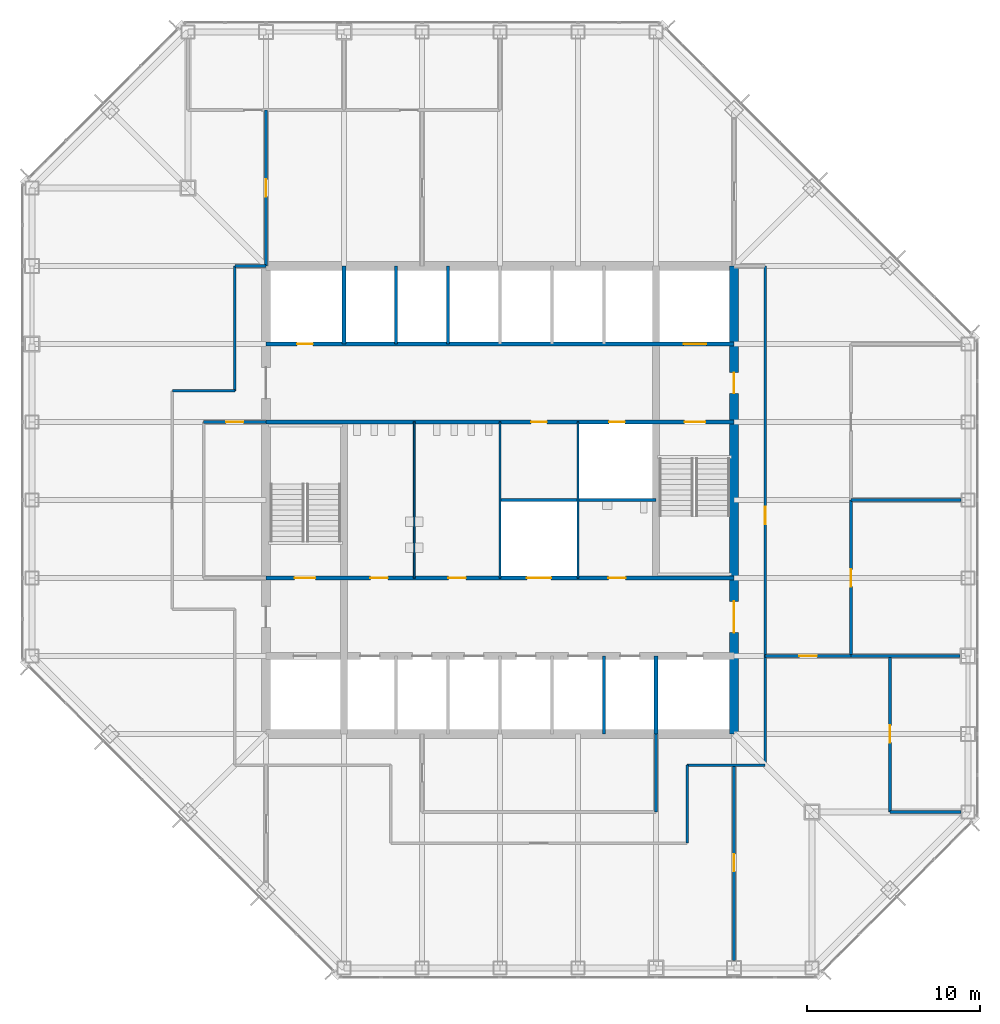
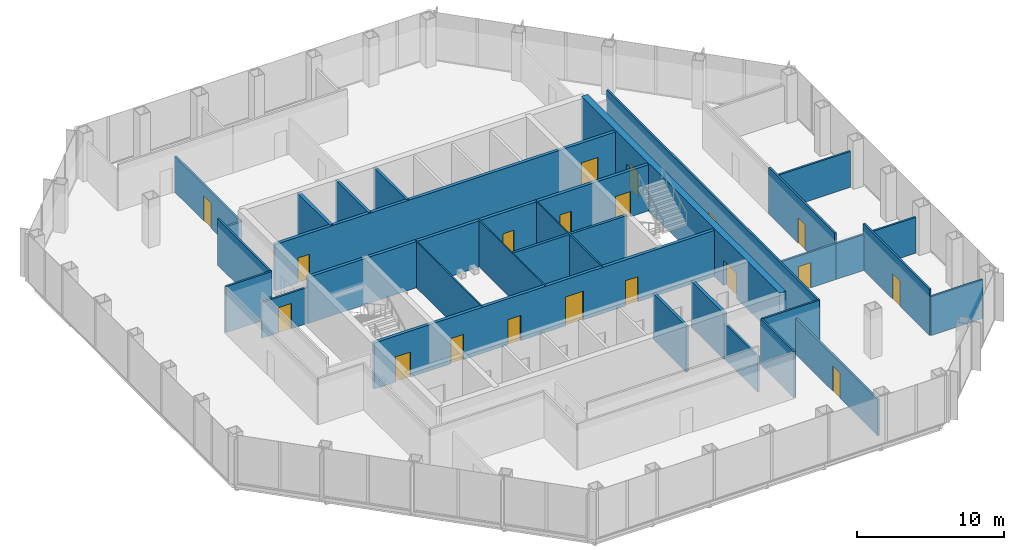
# One storey, part 9 of 12: 29 walls, 19 doors, 19 openings.
"""IFC4 building model written with IfcOpenShell, lengths in metres."""

from ifc_helpers import new_model, si_unit, direction, frame, frame_2d, origin, place, context, subcontext, project, spatial, rectangle, extrude, material, layer, layer_set, type_object, element, fill, save


model = new_model("IFC4")

# Units and contexts
model_context = context("Model", 3, precision=1e-05, world=origin(), true_north=direction((0.0, 1.0)))
body_context = subcontext(model_context, "Body", "Model", "MODEL_VIEW")
ifc_project = project(units=[si_unit("LENGTHUNIT", "METRE"), si_unit("AREAUNIT", "SQUARE_METRE"), si_unit("VOLUMEUNIT", "CUBIC_METRE"), si_unit("PLANEANGLEUNIT", "RADIAN"), si_unit("MASSUNIT", "GRAM", prefix="KILO")], contexts=[model_context])

# Site, building, storey
site_placement = place(None, origin())
site = spatial("IfcSite", under=ifc_project, at=site_placement, CompositionType="ELEMENT")
building_placement = place(site_placement, origin())
building = spatial("IfcBuilding", under=site, at=building_placement, Name="Corais Broadcast Tower", CompositionType="ELEMENT")
storey_placement = place(building_placement, frame((0.0, 0.0, 115.60009765625)))
storey = spatial("IfcBuildingStorey", under=building, at=storey_placement, Name="L25", CompositionType="ELEMENT", Elevation=115.60009765625)

# Walls
ifc_material_1 = material(Name="Concrete blockwork class A, grouted, two-hour", Category="masonry")
ifc_layer_1 = layer(ifc_material_1, 0.25)
ifc_layer_set_1 = layer_set([ifc_layer_1], Name="Concrete blockwork class A, grouted, two-hour")
wall_type_1 = type_object("IfcWallType", Name="Core lobby wall 250", PredefinedType="SOLIDWALL", material=ifc_layer_set_1)
for number, where, z_axis, x_axis, name in (
    (1, (18.0, 36.0, 0.0), (0.0, 0.0, 1.0), (0.0, 1.0, 0.0), "CL2 core shaft wall X18B L25"),
    (2, (36.0, 13.5, 0.0), (0.0, 0.0, 1.0), (0.0, 1.0, 0.0), "CL2 core shaft wall X36A L25"),
):
    element("IfcWall", number, at=place(storey_placement, frame(where, z_axis=z_axis, x_axis=x_axis)), inside=storey, type_object=wall_type_1, Name=name, PredefinedType="SOLIDWALL", context=body_context, shape_type="SweptSolid", body=[
        extrude(rectangle(XDim=4.5, YDim=0.25, at=frame_2d((2.25, 0.0))), origin(), (0.0, 0.0, 1.0), 3.83984375),
    ])

# Wall, openings, doors
wall_1_placement = place(storey_placement, frame((13.5, 22.5, 0.0), z_axis=(0.0, 0.0, 1.0), x_axis=(1.0, 0.0, 0.0)))
wall_1 = element("IfcWall", 3, at=wall_1_placement, inside=storey, type_object=wall_type_1, Name="CL2 core lobby wall Y225 L25", PredefinedType="SOLIDWALL", context=body_context, shape_type="SweptSolid", body=[
    extrude(rectangle(XDim=27.0, YDim=0.25, at=frame_2d((13.5, 0.0))), origin(), (0.0, 0.0, 1.0), 3.83984375),
])
opening_1_placement = place(wall_1_placement, frame((1.64990234375, 0.0, 0.0)))
opening_1 = element("IfcOpeningElement", 4, at=opening_1_placement, cuts=wall_1, Name="Opening FD1", PredefinedType="OPENING", context=body_context, shape_type="SweptSolid", body=[
    extrude(rectangle(XDim=1.199951171875, YDim=2.10009765625, at=frame_2d((0.60009765625, 1.050048828125))), frame((0.0, 0.135009765625, 0.0), z_axis=(0.0, -1.0, 0.0), x_axis=(1.0, 0.0, 0.0)), (0.0, 0.0, 1.0), 0.27001953125),
])
opening_2_placement = place(wall_1_placement, frame((6.02490234375, 0.0, 0.0)))
opening_2 = element("IfcOpeningElement", 5, at=opening_2_placement, cuts=wall_1, Name="Opening WD1", PredefinedType="OPENING", context=body_context, shape_type="SweptSolid", body=[
    extrude(rectangle(XDim=1.0, YDim=2.10009765625, at=frame_2d((0.5, 1.050048828125))), frame((0.0, 0.135009765625, 0.0), z_axis=(0.0, -1.0, 0.0), x_axis=(1.0, 0.0, 0.0)), (0.0, 0.0, 1.0), 0.27001953125),
])
opening_3_placement = place(wall_1_placement, frame((10.52490234375, 0.0, 0.0)))
opening_3 = element("IfcOpeningElement", 6, at=opening_3_placement, cuts=wall_1, Name="Opening WD1", PredefinedType="OPENING", context=body_context, shape_type="SweptSolid", body=[
    extrude(rectangle(XDim=1.0, YDim=2.10009765625, at=frame_2d((0.5, 1.050048828125))), frame((0.0, 0.135009765625, 0.0), z_axis=(0.0, -1.0, 0.0), x_axis=(1.0, 0.0, 0.0)), (0.0, 0.0, 1.0), 0.27001953125),
])
opening_4_placement = place(wall_1_placement, frame((19.75, 0.0, 0.0)))
opening_4 = element("IfcOpeningElement", 7, at=opening_4_placement, cuts=wall_1, Name="Opening WD1", PredefinedType="OPENING", context=body_context, shape_type="SweptSolid", body=[
    extrude(rectangle(XDim=1.0, YDim=2.10009765625, at=frame_2d((0.5, 1.050048828125))), frame((0.0, 0.135009765625, 0.0), z_axis=(0.0, -1.0, 0.0), x_axis=(1.0, 0.0, 0.0)), (0.0, 0.0, 1.0), 0.27001953125),
])
opening_5_placement = place(wall_1_placement, frame((15.050048828125, 0.0, 0.0)))
opening_5 = element("IfcOpeningElement", 8, at=opening_5_placement, cuts=wall_1, Name="Opening LD3", PredefinedType="OPENING", context=body_context, shape_type="SweptSolid", body=[
    extrude(rectangle(XDim=1.39990234375, YDim=2.39990234375, at=frame_2d((0.699951171875, 1.199951171875))), frame((0.0, 0.135009765625, 0.0), z_axis=(0.0, -1.0, 0.0), x_axis=(1.0, 0.0, 0.0)), (0.0, 0.0, 1.0), 0.27001953125),
])
ifc_material_2 = material(Name="Steel fire door", Category="steel")
door_type_1 = type_object("IfcDoorType", Name="Fire door 1200x2100", OperationType="SINGLE_SWING_LEFT", PredefinedType="DOOR", material=ifc_material_2)
door_1_placement = place(opening_1_placement, origin())
door_1 = element("IfcDoor", 9, at=door_1_placement, inside=storey, type_object=door_type_1, Name="FD1 stair A door L25", OperationType="SINGLE_SWING_LEFT", OverallHeight=2.10009765625, OverallWidth=1.199951171875, PredefinedType="DOOR", context=body_context, shape_type="SweptSolid", body=[
    extrude(rectangle(XDim=1.199951171875, YDim=2.10009765625, at=frame_2d((0.60009765625, 1.050048828125))), frame((0.0, 0.02490234375, 0.0), z_axis=(0.0, -1.0, 0.0), x_axis=(1.0, 0.0, 0.0)), (0.0, 0.0, 1.0), 0.050048828125),
])
fill(opening_1, door_1)
ifc_material_3 = material(Name="Stainless steel lift door", Category="steel")
door_type_2 = type_object("IfcDoorType", Name="Service lift landing door 1400x2400", OperationType="SLIDING_TO_LEFT", PredefinedType="DOOR", material=ifc_material_3)
door_2_placement = place(opening_5_placement, origin())
door_2 = element("IfcDoor", 10, at=door_2_placement, inside=storey, type_object=door_type_2, Name="LD3 SL1 landing door L25", OperationType="SLIDING_TO_LEFT", OverallHeight=2.39990234375, OverallWidth=1.39990234375, PredefinedType="DOOR", context=body_context, shape_type="SweptSolid", body=[
    extrude(rectangle(XDim=1.39990234375, YDim=2.39990234375, at=frame_2d((0.699951171875, 1.199951171875))), frame((0.0, 0.02490234375, 0.0), z_axis=(0.0, -1.0, 0.0), x_axis=(1.0, 0.0, 0.0)), (0.0, 0.0, 1.0), 0.050048828125),
])
fill(opening_5, door_2)
ifc_material_4 = material(Name="Timber door", Category="wood")
door_type_3 = type_object("IfcDoorType", Name="Toilet door 1000x2100", OperationType="SINGLE_SWING_LEFT", PredefinedType="DOOR", material=ifc_material_4)
door_3_placement = place(opening_2_placement, origin())
door_3 = element("IfcDoor", 11, at=door_3_placement, inside=storey, type_object=door_type_3, Name="WD1 WC male door L25", OperationType="SINGLE_SWING_LEFT", OverallHeight=2.10009765625, OverallWidth=1.0, PredefinedType="DOOR", context=body_context, shape_type="SweptSolid", body=[
    extrude(rectangle(XDim=1.0, YDim=2.10009765625, at=frame_2d((0.5, 1.050048828125))), frame((0.0, 0.02490234375, 0.0), z_axis=(0.0, -1.0, 0.0), x_axis=(1.0, 0.0, 0.0)), (0.0, 0.0, 1.0), 0.050048828125),
])
fill(opening_2, door_3)
door_4_placement = place(opening_3_placement, origin())
door_4 = element("IfcDoor", 12, at=door_4_placement, inside=storey, type_object=door_type_3, Name="WD1 WC female door L25", OperationType="SINGLE_SWING_LEFT", OverallHeight=2.10009765625, OverallWidth=1.0, PredefinedType="DOOR", context=body_context, shape_type="SweptSolid", body=[
    extrude(rectangle(XDim=1.0, YDim=2.10009765625, at=frame_2d((0.5, 1.050048828125))), frame((0.0, 0.02490234375, 0.0), z_axis=(0.0, -1.0, 0.0), x_axis=(1.0, 0.0, 0.0)), (0.0, 0.0, 1.0), 0.050048828125),
])
fill(opening_3, door_4)
door_5_placement = place(opening_4_placement, origin())
door_5 = element("IfcDoor", 13, at=door_5_placement, inside=storey, type_object=door_type_3, Name="WD1 accessible WC door L25", OperationType="SINGLE_SWING_RIGHT", OverallHeight=2.10009765625, OverallWidth=1.0, PredefinedType="DOOR", context=body_context, shape_type="SweptSolid", body=[
    extrude(rectangle(XDim=1.0, YDim=2.10009765625, at=frame_2d((0.5, 1.050048828125))), frame((0.0, 0.02490234375, 0.0), z_axis=(0.0, -1.0, 0.0), x_axis=(1.0, 0.0, 0.0)), (0.0, 0.0, 1.0), 0.050048828125),
])
fill(opening_4, door_5)

wall_2_placement = place(storey_placement, frame((13.5, 31.5, 0.0), z_axis=(0.0, 0.0, 1.0), x_axis=(1.0, 0.0, 0.0)))
wall_2 = element("IfcWall", 14, at=wall_2_placement, inside=storey, type_object=wall_type_1, Name="CL2 core lobby wall Y315 L25", PredefinedType="SOLIDWALL", context=body_context, shape_type="SweptSolid", body=[
    extrude(rectangle(XDim=27.0, YDim=0.25, at=frame_2d((13.5, 0.0))), origin(), (0.0, 0.0, 1.0), 3.83984375),
])
opening_6_placement = place(wall_2_placement, frame((24.14990234375, 0.0, 0.0)))
opening_6 = element("IfcOpeningElement", 15, at=opening_6_placement, cuts=wall_2, Name="Opening FD1", PredefinedType="OPENING", context=body_context, shape_type="SweptSolid", body=[
    extrude(rectangle(XDim=1.199951171875, YDim=2.10009765625, at=frame_2d((0.60009765625, 1.050048828125))), frame((0.0, 0.135009765625, 0.0), z_axis=(0.0, -1.0, 0.0), x_axis=(1.0, 0.0, 0.0)), (0.0, 0.0, 1.0), 0.27001953125),
])
opening_7_placement = place(wall_2_placement, frame((15.300048828125, 0.0, 0.0)))
opening_7 = element("IfcOpeningElement", 16, at=opening_7_placement, cuts=wall_2, Name="Opening RD1", PredefinedType="OPENING", context=body_context, shape_type="SweptSolid", body=[
    extrude(rectangle(XDim=0.89990234375, YDim=2.10009765625, at=frame_2d((0.449951171875, 1.050048828125))), frame((0.0, 0.135009765625, 0.0), z_axis=(0.0, -1.0, 0.0), x_axis=(1.0, 0.0, 0.0)), (0.0, 0.0, 1.0), 0.27001953125),
])
opening_8_placement = place(wall_2_placement, frame((19.800048828125, 0.0, 0.0)))
opening_8 = element("IfcOpeningElement", 17, at=opening_8_placement, cuts=wall_2, Name="Opening RD1", PredefinedType="OPENING", context=body_context, shape_type="SweptSolid", body=[
    extrude(rectangle(XDim=0.89990234375, YDim=2.10009765625, at=frame_2d((0.449951171875, 1.050048828125))), frame((0.0, 0.135009765625, 0.0), z_axis=(0.0, -1.0, 0.0), x_axis=(1.0, 0.0, 0.0)), (0.0, 0.0, 1.0), 0.27001953125),
])
door_6_placement = place(opening_6_placement, origin())
door_6 = element("IfcDoor", 18, at=door_6_placement, inside=storey, type_object=door_type_1, Name="FD1 stair B door L25", OperationType="SINGLE_SWING_RIGHT", OverallHeight=2.10009765625, OverallWidth=1.199951171875, PredefinedType="DOOR", context=body_context, shape_type="SweptSolid", body=[
    extrude(rectangle(XDim=1.199951171875, YDim=2.10009765625, at=frame_2d((0.60009765625, 1.050048828125))), frame((0.0, 0.02490234375, 0.0), z_axis=(0.0, -1.0, 0.0), x_axis=(1.0, 0.0, 0.0)), (0.0, 0.0, 1.0), 0.050048828125),
])
fill(opening_6, door_6)
ifc_material_5 = material(Name="Steel fire door", Category="steel")
door_type_4 = type_object("IfcDoorType", Name="Riser door 900x2100", OperationType="SINGLE_SWING_LEFT", PredefinedType="DOOR", material=ifc_material_5)
door_7_placement = place(opening_7_placement, origin())
door_7 = element("IfcDoor", 19, at=door_7_placement, inside=storey, type_object=door_type_4, Name="RD1 cleaner's store door L25", OperationType="SINGLE_SWING_RIGHT", OverallHeight=2.10009765625, OverallWidth=0.89990234375, PredefinedType="DOOR", context=body_context, shape_type="SweptSolid", body=[
    extrude(rectangle(XDim=0.89990234375, YDim=2.10009765625, at=frame_2d((0.449951171875, 1.050048828125))), frame((0.0, 0.02490234375, 0.0), z_axis=(0.0, -1.0, 0.0), x_axis=(1.0, 0.0, 0.0)), (0.0, 0.0, 1.0), 0.050048828125),
])
fill(opening_7, door_7)
door_8_placement = place(opening_8_placement, origin())
door_8 = element("IfcDoor", 20, at=door_8_placement, inside=storey, type_object=door_type_4, Name="RD1 riser door L25", OperationType="SINGLE_SWING_RIGHT", OverallHeight=2.10009765625, OverallWidth=0.89990234375, PredefinedType="DOOR", context=body_context, shape_type="SweptSolid", body=[
    extrude(rectangle(XDim=0.89990234375, YDim=2.10009765625, at=frame_2d((0.449951171875, 1.050048828125))), frame((0.0, 0.02490234375, 0.0), z_axis=(0.0, -1.0, 0.0), x_axis=(1.0, 0.0, 0.0)), (0.0, 0.0, 1.0), 0.050048828125),
])
fill(opening_8, door_8)

ifc_material_6 = material(Name="Concrete C50/60", Category="concrete")
ifc_layer_2 = layer(ifc_material_6, 0.5)
ifc_layer_set_2 = layer_set([ifc_layer_2], Name="Concrete C50/60")
wall_type_2 = type_object("IfcWallType", Name="Core wall 500", PredefinedType="SHEAR", material=ifc_layer_set_2)
wall_3_placement = place(storey_placement, frame((40.5, 13.5, 0.0), z_axis=(0.0, 0.0, 1.0), x_axis=(0.0, 1.0, 0.0)))
wall_3 = element("IfcWall", 21, at=wall_3_placement, inside=storey, type_object=wall_type_2, Name="CR500 core wall E L25", PredefinedType="SHEAR", context=body_context, shape_type="SweptSolid", body=[
    extrude(rectangle(XDim=27.0, YDim=0.5, at=frame_2d((13.5, 0.0))), origin(), (0.0, 0.0, 1.0), 4.0),
])
opening_9_placement = place(wall_3_placement, frame((5.85009765625, 0.0, 0.0)))
opening_9 = element("IfcOpeningElement", 22, at=opening_9_placement, cuts=wall_3, Name="Opening FD2", PredefinedType="OPENING", context=body_context, shape_type="SweptSolid", body=[
    extrude(rectangle(XDim=1.800048828125, YDim=2.10009765625, at=frame_2d((0.89990234375, 1.050048828125))), frame((0.0, 0.260009765625, 0.0), z_axis=(0.0, -1.0, 0.0), x_axis=(1.0, 0.0, 0.0)), (0.0, 0.0, 1.0), 0.52001953125),
])
opening_10_placement = place(wall_3_placement, frame((19.64990234375, 0.0, 0.0)))
opening_10 = element("IfcOpeningElement", 23, at=opening_10_placement, cuts=wall_3, Name="Opening FD1", PredefinedType="OPENING", context=body_context, shape_type="SweptSolid", body=[
    extrude(rectangle(XDim=1.199951171875, YDim=2.10009765625, at=frame_2d((0.60009765625, 1.050048828125))), frame((0.0, 0.260009765625, 0.0), z_axis=(0.0, -1.0, 0.0), x_axis=(1.0, 0.0, 0.0)), (0.0, 0.0, 1.0), 0.52001953125),
])
door_9_placement = place(opening_10_placement, origin())
door_9 = element("IfcDoor", 24, at=door_9_placement, inside=storey, type_object=door_type_1, Name="FD1 fire lobby B door L25", OperationType="SINGLE_SWING_RIGHT", OverallHeight=2.10009765625, OverallWidth=1.199951171875, PredefinedType="DOOR", context=body_context, shape_type="SweptSolid", body=[
    extrude(rectangle(XDim=1.199951171875, YDim=2.10009765625, at=frame_2d((0.60009765625, 1.050048828125))), frame((0.0, 0.02490234375, 0.0), z_axis=(0.0, -1.0, 0.0), x_axis=(1.0, 0.0, 0.0)), (0.0, 0.0, 1.0), 0.050048828125),
])
fill(opening_10, door_9)
ifc_material_7 = material(Name="Steel fire door", Category="steel")
door_type_5 = type_object("IfcDoorType", Name="Fire door pair 1800x2100", OperationType="DOUBLE_DOOR_SINGLE_SWING", PredefinedType="DOOR", material=ifc_material_7)
door_10_placement = place(opening_9_placement, origin())
door_10 = element("IfcDoor", 25, at=door_10_placement, inside=storey, type_object=door_type_5, Name="FD2 lift lobby door L25", OperationType="SINGLE_SWING_LEFT", OverallHeight=2.10009765625, OverallWidth=1.800048828125, PredefinedType="DOOR", context=body_context, shape_type="SweptSolid", body=[
    extrude(rectangle(XDim=1.800048828125, YDim=2.10009765625, at=frame_2d((0.89990234375, 1.050048828125))), frame((0.0, 0.02490234375, 0.0), z_axis=(0.0, -1.0, 0.0), x_axis=(1.0, 0.0, 0.0)), (0.0, 0.0, 1.0), 0.050048828125),
])
fill(opening_9, door_10)

ifc_material_8 = material(Name="Concrete blockwork class A, grouted, four-hour", Category="masonry")
ifc_layer_3 = layer(ifc_material_8, 0.25)
ifc_layer_set_3 = layer_set([ifc_layer_3], Name="Concrete blockwork class A, grouted, four-hour")
wall_type_3 = type_object("IfcWallType", Name="Emergency lift shaft wall 250", PredefinedType="SOLIDWALL", material=ifc_layer_set_3)
wall_4_placement = place(storey_placement, frame((13.5, 36.0, 0.0), z_axis=(0.0, 0.0, 1.0), x_axis=(1.0, 0.0, 0.0)))
wall_4 = element("IfcWall", 26, at=wall_4_placement, inside=storey, type_object=wall_type_3, Name="LS2 core lobby wall Y36 L25", PredefinedType="SOLIDWALL", context=body_context, shape_type="SweptSolid", body=[
    extrude(rectangle(XDim=27.0, YDim=0.25, at=frame_2d((13.5, 0.0))), origin(), (0.0, 0.0, 1.0), 3.83984375),
])
opening_11_placement = place(wall_4_placement, frame((1.800048828125, 0.0, 0.0)))
opening_11 = element("IfcOpeningElement", 27, at=opening_11_placement, cuts=wall_4, Name="Opening RD1", PredefinedType="OPENING", context=body_context, shape_type="SweptSolid", body=[
    extrude(rectangle(XDim=0.89990234375, YDim=2.10009765625, at=frame_2d((0.449951171875, 1.050048828125))), frame((0.0, 0.135009765625, 0.0), z_axis=(0.0, -1.0, 0.0), x_axis=(1.0, 0.0, 0.0)), (0.0, 0.0, 1.0), 0.27001953125),
])
opening_12_placement = place(wall_4_placement, frame((24.10009765625, 0.0, 0.0)))
opening_12 = element("IfcOpeningElement", 28, at=opening_12_placement, cuts=wall_4, Name="Opening LD2", PredefinedType="OPENING", context=body_context, shape_type="SweptSolid", body=[
    extrude(rectangle(XDim=1.300048828125, YDim=2.199951171875, at=frame_2d((0.64990234375, 1.10009765625))), frame((0.0, 0.135009765625, 0.0), z_axis=(0.0, -1.0, 0.0), x_axis=(1.0, 0.0, 0.0)), (0.0, 0.0, 1.0), 0.27001953125),
])
ifc_material_9 = material(Name="Stainless steel lift door", Category="steel")
door_type_6 = type_object("IfcDoorType", Name="Lift landing door 1300x2200", OperationType="SLIDING_TO_LEFT", PredefinedType="DOOR", material=ifc_material_9)
door_11_placement = place(opening_12_placement, origin())
door_11 = element("IfcDoor", 29, at=door_11_placement, inside=storey, type_object=door_type_6, Name="LD2 FL2 landing door L25", OperationType="SLIDING_TO_LEFT", OverallHeight=2.199951171875, OverallWidth=1.300048828125, PredefinedType="DOOR", context=body_context, shape_type="SweptSolid", body=[
    extrude(rectangle(XDim=1.300048828125, YDim=2.199951171875, at=frame_2d((0.64990234375, 1.10009765625))), frame((0.0, 0.02490234375, 0.0), z_axis=(0.0, -1.0, 0.0), x_axis=(1.0, 0.0, 0.0)), (0.0, 0.0, 1.0), 0.050048828125),
])
fill(opening_12, door_11)
door_12_placement = place(opening_11_placement, origin())
door_12 = element("IfcDoor", 30, at=door_12_placement, inside=storey, type_object=door_type_4, Name="RD1 riser door L25", OperationType="SINGLE_SWING_LEFT", OverallHeight=2.10009765625, OverallWidth=0.89990234375, PredefinedType="DOOR", context=body_context, shape_type="SweptSolid", body=[
    extrude(rectangle(XDim=0.89990234375, YDim=2.10009765625, at=frame_2d((0.449951171875, 1.050048828125))), frame((0.0, 0.02490234375, 0.0), z_axis=(0.0, -1.0, 0.0), x_axis=(1.0, 0.0, 0.0)), (0.0, 0.0, 1.0), 0.050048828125),
])
fill(opening_11, door_12)

# Wall, opening, door
ifc_material_10 = material(Name="Gypsum board on steel studs", Category="steel")
ifc_layer_4 = layer(ifc_material_10, 0.14990234375)
ifc_layer_set_4 = layer_set([ifc_layer_4], Name="Gypsum board on steel studs")
wall_type_4 = type_object("IfcWallType", Name="Partition 150", PredefinedType="PARTITIONING", material=ifc_layer_set_4)
wall_5_placement = place(storey_placement, frame((42.300048828125, 11.699951171875, 0.0), z_axis=(0.0, 0.0, 1.0), x_axis=(0.0, 1.0, 0.0)))
wall_5 = element("IfcWall", 31, at=wall_5_placement, inside=storey, type_object=wall_type_4, Name="IW3 corridor wall L25", PredefinedType="PARTITIONING", context=body_context, shape_type="SweptSolid", body=[
    extrude(rectangle(XDim=28.800048828125, YDim=0.14990234375, at=frame_2d((14.39990234375, 0.0))), origin(), (0.0, 0.0, 1.0), 3.83984375),
])
opening_13_placement = place(wall_5_placement, frame((13.89990234375, 0.0, 0.0)))
opening_13 = element("IfcOpeningElement", 32, at=opening_13_placement, cuts=wall_5, Name="Opening D1", PredefinedType="OPENING", context=body_context, shape_type="SweptSolid", body=[
    extrude(rectangle(XDim=1.0, YDim=2.10009765625, at=frame_2d((0.5, 1.050048828125))), frame((0.0, 0.0849609375, 0.0), z_axis=(0.0, -1.0, 0.0), x_axis=(1.0, 0.0, 0.0)), (0.0, 0.0, 1.0), 0.169921875),
])
ifc_material_11 = material(Name="Timber door", Category="wood")
door_type_7 = type_object("IfcDoorType", Name="Single door 1000x2100", OperationType="SINGLE_SWING_LEFT", PredefinedType="DOOR", material=ifc_material_11)
door_13_placement = place(opening_13_placement, origin())
door_13 = element("IfcDoor", 33, at=door_13_placement, inside=storey, type_object=door_type_7, Name="D1 workplace door L25", OperationType="SINGLE_SWING_LEFT", OverallHeight=2.10009765625, OverallWidth=1.0, PredefinedType="DOOR", context=body_context, shape_type="SweptSolid", body=[
    extrude(rectangle(XDim=1.0, YDim=2.10009765625, at=frame_2d((0.5, 1.050048828125))), frame((0.0, 0.02490234375, 0.0), z_axis=(0.0, -1.0, 0.0), x_axis=(1.0, 0.0, 0.0)), (0.0, 0.0, 1.0), 0.050048828125),
])
fill(opening_13, door_13)

# Walls
wall_6_placement = place(storey_placement, frame((11.699951171875, 40.5, 0.0), z_axis=(0.0, 0.0, 1.0), x_axis=(0.0, -1.0, 0.0)))
element("IfcWall", 34, at=wall_6_placement, inside=storey, type_object=wall_type_4, Name="IW3 corridor wall L25", PredefinedType="PARTITIONING", context=body_context, shape_type="SweptSolid", body=[
    extrude(rectangle(XDim=7.199951171875, YDim=0.14990234375, at=frame_2d((3.60009765625, 0.0))), origin(), (0.0, 0.0, 1.0), 3.83984375),
])
for number, where, z_axis, x_axis, name in (
    (35, (37.800048828125, 7.199951171875, 0.0), (0.0, 0.0, 1.0), (0.0, 1.0, 0.0), "IW3 corridor wall L25"),
    (36, (37.800048828125, 11.699951171875, 0.0), (0.0, 0.0, 1.0), (1.0, 0.0, 0.0), "IW3 corridor wall L25"),
):
    element("IfcWall", number, at=place(storey_placement, frame(where, z_axis=z_axis, x_axis=x_axis)), inside=storey, type_object=wall_type_4, Name=name, PredefinedType="PARTITIONING", context=body_context, shape_type="SweptSolid", body=[
        extrude(rectangle(XDim=4.5, YDim=0.14990234375, at=frame_2d((2.25, 0.0))), origin(), (0.0, 0.0, 1.0), 3.83984375),
    ])
wall_7_placement = place(storey_placement, frame((11.699951171875, 33.300048828125, 0.0), z_axis=(0.0, 0.0, 1.0), x_axis=(-1.0, 0.0, 0.0)))
element("IfcWall", 37, at=wall_7_placement, inside=storey, type_object=wall_type_4, Name="IW3 corridor wall L25", PredefinedType="PARTITIONING", context=body_context, shape_type="SweptSolid", body=[
    extrude(rectangle(XDim=3.599853515625, YDim=0.14990234375, at=frame_2d((1.7998046875, 0.0))), origin(), (0.0, 0.0, 1.0), 3.83984375),
])
wall_8_placement = place(storey_placement, frame((13.510009765625, 40.5, 0.0), z_axis=(0.0, 0.0, 1.0), x_axis=(-1.0, 0.0, 0.0)))
element("IfcWall", 38, at=wall_8_placement, inside=storey, type_object=wall_type_4, Name="IW3 corridor wall L25", PredefinedType="PARTITIONING", context=body_context, shape_type="SweptSolid", body=[
    extrude(rectangle(XDim=1.81005859375, YDim=0.14990234375, at=frame_2d((0.905029296875, 0.0))), origin(), (0.0, 0.0, 1.0), 2.989013671875),
])
wall_9_placement = place(storey_placement, frame((47.25, 18.0, 0.0), z_axis=(0.0, 0.0, 1.0), x_axis=(1.0, 0.0, 0.0)))
element("IfcWall", 39, at=wall_9_placement, inside=storey, type_object=wall_type_4, Name="IW3 partition L25", PredefinedType="PARTITIONING", context=body_context, shape_type="SweptSolid", body=[
    extrude(rectangle(XDim=6.2900390625, YDim=0.14990234375, at=frame_2d((3.14501953125, 0.0))), origin(), (0.0, 0.0, 1.0), 2.989013671875),
])
wall_10_placement = place(storey_placement, frame((53.590087890625, 27.0, 0.0), z_axis=(0.0, 0.0, 1.0), x_axis=(-1.0, 0.0, 0.0)))
element("IfcWall", 40, at=wall_10_placement, inside=storey, type_object=wall_type_4, Name="IW3 partition L25", PredefinedType="PARTITIONING", context=body_context, shape_type="SweptSolid", body=[
    extrude(rectangle(XDim=6.340087890625, YDim=0.14990234375, at=frame_2d((3.169921875, 0.0))), origin(), (0.0, 0.0, 1.0), 2.989013671875),
])

# Wall, opening, door
wall_11_placement = place(storey_placement, frame((47.25, 27.0, 0.0), z_axis=(0.0, 0.0, 1.0), x_axis=(0.0, -1.0, 0.0)))
wall_11 = element("IfcWall", 41, at=wall_11_placement, inside=storey, type_object=wall_type_4, Name="IW3 partition L25", PredefinedType="PARTITIONING", context=body_context, shape_type="SweptSolid", body=[
    extrude(rectangle(XDim=9.0, YDim=0.14990234375, at=frame_2d((4.5, 0.0))), origin(), (0.0, 0.0, 1.0), 3.83984375),
])
opening_14_placement = place(wall_11_placement, frame((4.0, 0.0, 0.0)))
opening_14 = element("IfcOpeningElement", 42, at=opening_14_placement, cuts=wall_11, Name="Opening D1", PredefinedType="OPENING", context=body_context, shape_type="SweptSolid", body=[
    extrude(rectangle(XDim=1.0, YDim=2.10009765625, at=frame_2d((0.5, 1.050048828125))), frame((0.0, 0.0849609375, 0.0), z_axis=(0.0, -1.0, 0.0), x_axis=(1.0, 0.0, 0.0)), (0.0, 0.0, 1.0), 0.169921875),
])
door_14_placement = place(opening_14_placement, origin())
door_14 = element("IfcDoor", 43, at=door_14_placement, inside=storey, type_object=door_type_7, Name="D1 Client conference room door", OperationType="SINGLE_SWING_LEFT", OverallHeight=2.10009765625, OverallWidth=1.0, PredefinedType="DOOR", context=body_context, shape_type="SweptSolid", body=[
    extrude(rectangle(XDim=1.0, YDim=2.10009765625, at=frame_2d((0.5, 1.050048828125))), frame((0.0, 0.02490234375, 0.0), z_axis=(0.0, -1.0, 0.0), x_axis=(1.0, 0.0, 0.0)), (0.0, 0.0, 1.0), 0.050048828125),
])
fill(opening_14, door_14)

# Wall
wall_12_placement = place(storey_placement, frame((49.5, 9.0, 0.0), z_axis=(0.0, 0.0, 1.0), x_axis=(1.0, 0.0, 0.0)))
element("IfcWall", 44, at=wall_12_placement, inside=storey, type_object=wall_type_4, Name="IW3 partition L25", PredefinedType="PARTITIONING", context=body_context, shape_type="SweptSolid", body=[
    extrude(rectangle(XDim=4.090087890625, YDim=0.14990234375, at=frame_2d((2.044921875, 0.0))), origin(), (0.0, 0.0, 1.0), 3.22900390625),
])

# Wall, opening, door
wall_13_placement = place(storey_placement, frame((49.5, 18.0, 0.0), z_axis=(0.0, 0.0, 1.0), x_axis=(0.0, -1.0, 0.0)))
wall_13 = element("IfcWall", 45, at=wall_13_placement, inside=storey, type_object=wall_type_4, Name="IW3 partition L25", PredefinedType="PARTITIONING", context=body_context, shape_type="SweptSolid", body=[
    extrude(rectangle(XDim=9.0, YDim=0.14990234375, at=frame_2d((4.5, 0.0))), origin(), (0.0, 0.0, 1.0), 3.83984375),
])
opening_15_placement = place(wall_13_placement, frame((4.0, 0.0, 0.0)))
opening_15 = element("IfcOpeningElement", 46, at=opening_15_placement, cuts=wall_13, Name="Opening D1", PredefinedType="OPENING", context=body_context, shape_type="SweptSolid", body=[
    extrude(rectangle(XDim=1.0, YDim=2.10009765625, at=frame_2d((0.5, 1.050048828125))), frame((0.0, 0.0849609375, 0.0), z_axis=(0.0, -1.0, 0.0), x_axis=(1.0, 0.0, 0.0)), (0.0, 0.0, 1.0), 0.169921875),
])
door_15_placement = place(opening_15_placement, origin())
door_15 = element("IfcDoor", 47, at=door_15_placement, inside=storey, type_object=door_type_7, Name="D1 Green room door", OperationType="SINGLE_SWING_LEFT", OverallHeight=2.10009765625, OverallWidth=1.0, PredefinedType="DOOR", context=body_context, shape_type="SweptSolid", body=[
    extrude(rectangle(XDim=1.0, YDim=2.10009765625, at=frame_2d((0.5, 1.050048828125))), frame((0.0, 0.02490234375, 0.0), z_axis=(0.0, -1.0, 0.0), x_axis=(1.0, 0.0, 0.0)), (0.0, 0.0, 1.0), 0.050048828125),
])
fill(opening_15, door_15)

wall_14_placement = place(storey_placement, frame((13.5, 31.5, 0.0), z_axis=(0.0, 0.0, 1.0), x_axis=(-1.0, 0.0, 0.0)))
wall_14 = element("IfcWall", 48, at=wall_14_placement, inside=storey, type_object=wall_type_4, Name="IW3 partition L25", PredefinedType="PARTITIONING", context=body_context, shape_type="SweptSolid", body=[
    extrude(rectangle(XDim=3.60009765625, YDim=0.14990234375, at=frame_2d((1.800048828125, 0.0))), origin(), (0.0, 0.0, 1.0), 2.989013671875),
])
opening_16_placement = place(wall_14_placement, frame((1.300048828125, 0.0, 0.0)))
opening_16 = element("IfcOpeningElement", 49, at=opening_16_placement, cuts=wall_14, Name="Opening D1", PredefinedType="OPENING", context=body_context, shape_type="SweptSolid", body=[
    extrude(rectangle(XDim=1.0, YDim=2.10009765625, at=frame_2d((0.5, 1.050048828125))), frame((0.0, 0.0849609375, 0.0), z_axis=(0.0, -1.0, 0.0), x_axis=(1.0, 0.0, 0.0)), (0.0, 0.0, 1.0), 0.169921875),
])
door_16_placement = place(opening_16_placement, origin())
door_16 = element("IfcDoor", 50, at=door_16_placement, inside=storey, type_object=door_type_7, Name="D1 Pantry door", OperationType="SINGLE_SWING_LEFT", OverallHeight=2.10009765625, OverallWidth=1.0, PredefinedType="DOOR", context=body_context, shape_type="SweptSolid", body=[
    extrude(rectangle(XDim=1.0, YDim=2.10009765625, at=frame_2d((0.5, 1.050048828125))), frame((0.0, 0.02490234375, 0.0), z_axis=(0.0, -1.0, 0.0), x_axis=(1.0, 0.0, 0.0)), (0.0, 0.0, 1.0), 0.050048828125),
])
fill(opening_16, door_16)

# Wall
wall_15_placement = place(storey_placement, frame((36.0, 9.0, 0.0), z_axis=(0.0, 0.0, 1.0), x_axis=(0.0, 1.0, 0.0)))
element("IfcWall", 51, at=wall_15_placement, inside=storey, type_object=wall_type_4, Name="IW3 partition L25", PredefinedType="PARTITIONING", context=body_context, shape_type="SweptSolid", body=[
    extrude(rectangle(XDim=4.5, YDim=0.14990234375, at=frame_2d((2.25, 0.0))), origin(), (0.0, 0.0, 1.0), 2.989013671875),
])

# Wall, opening, door
wall_16_placement = place(storey_placement, frame((47.25, 18.0, 0.0), z_axis=(0.0, 0.0, 1.0), x_axis=(-1.0, 0.0, 0.0)))
wall_16 = element("IfcWall", 52, at=wall_16_placement, inside=storey, type_object=wall_type_4, Name="IW3 partition L25", PredefinedType="PARTITIONING", context=body_context, shape_type="SweptSolid", body=[
    extrude(rectangle(XDim=4.949951171875, YDim=0.14990234375, at=frame_2d((2.47509765625, 0.0))), origin(), (0.0, 0.0, 1.0), 2.989013671875),
])
opening_17_placement = place(wall_16_placement, frame((1.97509765625, 0.0, 0.0)))
opening_17 = element("IfcOpeningElement", 53, at=opening_17_placement, cuts=wall_16, Name="Opening D1", PredefinedType="OPENING", context=body_context, shape_type="SweptSolid", body=[
    extrude(rectangle(XDim=1.0, YDim=2.10009765625, at=frame_2d((0.5, 1.050048828125))), frame((0.0, 0.0849609375, 0.0), z_axis=(0.0, -1.0, 0.0), x_axis=(1.0, 0.0, 0.0)), (0.0, 0.0, 1.0), 0.169921875),
])
door_17_placement = place(opening_17_placement, origin())
door_17 = element("IfcDoor", 54, at=door_17_placement, inside=storey, type_object=door_type_7, Name="D1 team room door L25", OperationType="SINGLE_SWING_LEFT", OverallHeight=2.10009765625, OverallWidth=1.0, PredefinedType="DOOR", context=body_context, shape_type="SweptSolid", body=[
    extrude(rectangle(XDim=1.0, YDim=2.10009765625, at=frame_2d((0.5, 1.050048828125))), frame((0.0, 0.02490234375, 0.0), z_axis=(0.0, -1.0, 0.0), x_axis=(1.0, 0.0, 0.0)), (0.0, 0.0, 1.0), 0.050048828125),
])
fill(opening_17, door_17)

wall_17_placement = place(storey_placement, frame((40.5, 11.699951171875, 0.0), z_axis=(0.0, 0.0, 1.0), x_axis=(0.0, -1.0, 0.0)))
wall_17 = element("IfcWall", 55, at=wall_17_placement, inside=storey, type_object=wall_type_4, Name="IW3 partition L25", PredefinedType="PARTITIONING", context=body_context, shape_type="SweptSolid", body=[
    extrude(rectangle(XDim=11.2548828125, YDim=0.14990234375, at=frame_2d((5.62744140625, 0.0))), origin(), (0.0, 0.0, 1.0), 2.989013671875),
])
opening_18_placement = place(wall_17_placement, frame((5.12744140625, 0.0, 0.0)))
opening_18 = element("IfcOpeningElement", 56, at=opening_18_placement, cuts=wall_17, Name="Opening D1", PredefinedType="OPENING", context=body_context, shape_type="SweptSolid", body=[
    extrude(rectangle(XDim=1.0, YDim=2.10009765625, at=frame_2d((0.5, 1.050048828125))), frame((0.0, 0.0849609375, 0.0), z_axis=(0.0, -1.0, 0.0), x_axis=(1.0, 0.0, 0.0)), (0.0, 0.0, 1.0), 0.169921875),
])
door_18_placement = place(opening_18_placement, origin())
door_18 = element("IfcDoor", 57, at=door_18_placement, inside=storey, type_object=door_type_7, Name="D1 team room door L25", OperationType="SINGLE_SWING_LEFT", OverallHeight=2.10009765625, OverallWidth=1.0, PredefinedType="DOOR", context=body_context, shape_type="SweptSolid", body=[
    extrude(rectangle(XDim=1.0, YDim=2.10009765625, at=frame_2d((0.5, 1.050048828125))), frame((0.0, 0.02490234375, 0.0), z_axis=(0.0, -1.0, 0.0), x_axis=(1.0, 0.0, 0.0)), (0.0, 0.0, 1.0), 0.050048828125),
])
fill(opening_18, door_18)

wall_18_placement = place(storey_placement, frame((13.5, 49.5, 0.0), z_axis=(0.0, 0.0, 1.0), x_axis=(0.0, -1.0, 0.0)))
wall_18 = element("IfcWall", 58, at=wall_18_placement, inside=storey, type_object=wall_type_4, Name="IW3 partition L25", PredefinedType="PARTITIONING", context=body_context, shape_type="SweptSolid", body=[
    extrude(rectangle(XDim=9.0, YDim=0.14990234375, at=frame_2d((4.5, 0.0))), origin(), (0.0, 0.0, 1.0), 2.989013671875),
])
opening_19_placement = place(wall_18_placement, frame((4.0, 0.0, 0.0)))
opening_19 = element("IfcOpeningElement", 59, at=opening_19_placement, cuts=wall_18, Name="Opening D1", PredefinedType="OPENING", context=body_context, shape_type="SweptSolid", body=[
    extrude(rectangle(XDim=1.0, YDim=2.10009765625, at=frame_2d((0.5, 1.050048828125))), frame((0.0, 0.0849609375, 0.0), z_axis=(0.0, -1.0, 0.0), x_axis=(1.0, 0.0, 0.0)), (0.0, 0.0, 1.0), 0.169921875),
])
door_19_placement = place(opening_19_placement, origin())
door_19 = element("IfcDoor", 60, at=door_19_placement, inside=storey, type_object=door_type_7, Name="D1 team room door L25", OperationType="SINGLE_SWING_LEFT", OverallHeight=2.10009765625, OverallWidth=1.0, PredefinedType="DOOR", context=body_context, shape_type="SweptSolid", body=[
    extrude(rectangle(XDim=1.0, YDim=2.10009765625, at=frame_2d((0.5, 1.050048828125))), frame((0.0, 0.02490234375, 0.0), z_axis=(0.0, -1.0, 0.0), x_axis=(1.0, 0.0, 0.0)), (0.0, 0.0, 1.0), 0.050048828125),
])
fill(opening_19, door_19)

# Walls
ifc_material_12 = material(Name="Concrete blockwork class A, grouted, two-hour", Category="masonry")
ifc_layer_5 = layer(ifc_material_12, 0.199951171875)
ifc_layer_set_5 = layer_set([ifc_layer_5], Name="Concrete blockwork class A, grouted, two-hour")
wall_type_5 = type_object("IfcWallType", Name="Shaft wall 200", PredefinedType="PARTITIONING", material=ifc_layer_set_5)
for number, where, z_axis, x_axis, name in (
    (61, (21.0, 36.0, 0.0), (0.0, 0.0, 1.0), (0.0, 1.0, 0.0), "IW1 shaft wall L25"),
    (62, (24.0, 36.0, 0.0), (0.0, 0.0, 1.0), (0.0, 1.0, 0.0), "IW1 shaft wall L25"),
    (63, (33.0, 13.5, 0.0), (0.0, 0.0, 1.0), (0.0, 1.0, 0.0), "IW1 shaft wall L25"),
):
    element("IfcWall", number, at=place(storey_placement, frame(where, z_axis=z_axis, x_axis=x_axis)), inside=storey, type_object=wall_type_5, Name=name, PredefinedType="PARTITIONING", context=body_context, shape_type="SweptSolid", body=[
        extrude(rectangle(XDim=4.5, YDim=0.199951171875, at=frame_2d((2.25, 0.0))), origin(), (0.0, 0.0, 1.0), 3.83984375),
    ])
wall_19_placement = place(storey_placement, frame((27.0, 27.0, 0.0), z_axis=(0.0, 0.0, 1.0), x_axis=(1.0, 0.0, 0.0)))
element("IfcWall", 64, at=wall_19_placement, inside=storey, type_object=wall_type_5, Name="IW1 shaft wall L25", PredefinedType="PARTITIONING", context=body_context, shape_type="SweptSolid", body=[
    extrude(rectangle(XDim=9.0, YDim=0.199951171875, at=frame_2d((4.5, 0.0))), origin(), (0.0, 0.0, 1.0), 3.83984375),
])
ifc_material_13 = material(Name="Dense concrete blockwork class A, tiled both faces", Category="masonry")
ifc_layer_6 = layer(ifc_material_13, 0.10009765625)
ifc_layer_set_6 = layer_set([ifc_layer_6], Name="Dense concrete blockwork class A, tiled both faces")
wall_type_6 = type_object("IfcWallType", Name="Toilet wall 100", PredefinedType="PLUMBINGWALL", material=ifc_layer_set_6)
for number, where, z_axis, x_axis, name in (
    (65, (22.050048828125, 22.5, 0.0), (0.0, 0.0, 1.0), (0.0, 1.0, 0.0), "IW2 toilet wall L25"),
    (66, (27.0, 22.5, 0.0), (0.0, 0.0, 1.0), (0.0, 1.0, 0.0), "IW2 toilet wall L25"),
    (67, (31.5, 22.5, 0.0), (0.0, 0.0, 1.0), (0.0, 1.0, 0.0), "IW2 toilet wall L25"),
):
    element("IfcWall", number, at=place(storey_placement, frame(where, z_axis=z_axis, x_axis=x_axis)), inside=storey, type_object=wall_type_6, Name=name, PredefinedType="PLUMBINGWALL", context=body_context, shape_type="SweptSolid", body=[
        extrude(rectangle(XDim=9.0, YDim=0.10009765625, at=frame_2d((4.5, 0.0))), origin(), (0.0, 0.0, 1.0), 3.83984375),
    ])

save(model, "model.ifc")
